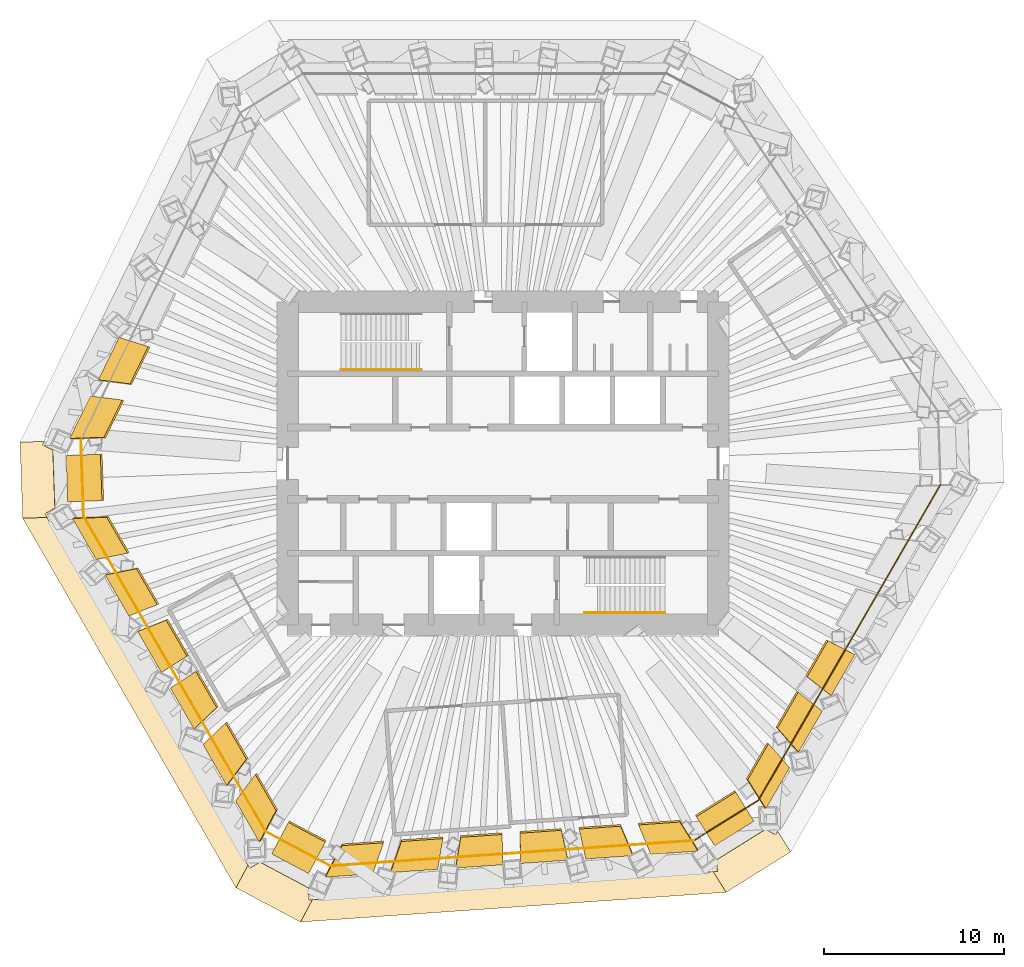
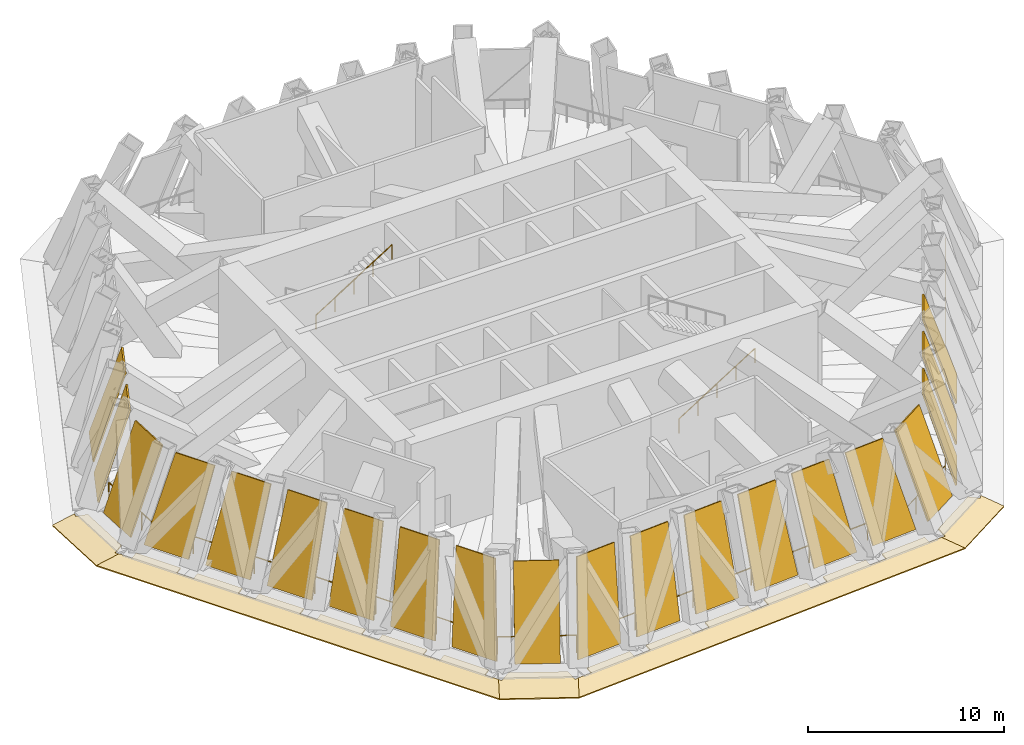
# One storey, part 10 of 12: 20 shading devices, 5 coverings, 5 railings.
"""IFC4 building model written with IfcOpenShell, lengths in metres."""

from ifc_helpers import new_model, si_unit, direction, frame, origin, origin_2d, place, context, subcontext, project, spatial, polyline, circle, outline, extrude, material, layer, layer_set, type_object, element, save


model = new_model("IFC4")

# Units and contexts
model_context = context("Model", 3, precision=1e-05, world=origin(), true_north=direction((0.0, 1.0)))
body_context = subcontext(model_context, "Body", "Model", "MODEL_VIEW")
ifc_project = project(units=[si_unit("LENGTHUNIT", "METRE"), si_unit("AREAUNIT", "SQUARE_METRE"), si_unit("VOLUMEUNIT", "CUBIC_METRE"), si_unit("PLANEANGLEUNIT", "RADIAN"), si_unit("MASSUNIT", "GRAM", prefix="KILO")], contexts=[model_context])

# Site, building, storey
site_placement = place(None, origin())
site = spatial("IfcSite", under=ifc_project, at=site_placement, CompositionType="ELEMENT")
building_placement = place(site_placement, origin())
building = spatial("IfcBuilding", under=site, at=building_placement, Name="Qingtian Harvest Tower", CompositionType="ELEMENT")
storey_placement = place(building_placement, frame((0.0, 0.0, 256.0)))
storey = spatial("IfcBuildingStorey", under=building, at=storey_placement, Name="L56", CompositionType="ELEMENT", Elevation=256.0)

# Coverings
ifc_material_1 = material(Name="Bronze-finished aluminium plate", Category="aluminium")
ifc_layer_1 = layer(ifc_material_1, 0.080078125)
ifc_layer_set_1 = layer_set([ifc_layer_1], Name="Bronze eave band EB1")
covering_type = type_object("IfcCoveringType", Name="Bronze eave band EB1", PredefinedType="CLADDING", material=ifc_layer_set_1)
covering_1_placement = place(storey_placement, frame((14.634765625, -20.376708984375, -0.02001953125), z_axis=(0.086563982329, -0.138530640062, 0.986567756785), x_axis=(0.856908601128, -0.494753875713, -0.144659088137)))
element("IfcCovering", 1, at=covering_1_placement, inside=storey, type_object=covering_type, Name="Eave band EB1 L56 6", PredefinedType="CLADDING", context=body_context, shape_type="SweptSolid", body=[
    extrude(outline(polyline([(0.0, 0.0), (0.6444666965576125, -8.586881206085195e-17), (0.6416515885527894, 0.23486961680116777), (1.8616196305034163, -0.40506412551811505), (-0.10696206249302961, -4.158105621252344), (-1.3269301044436563, -3.518171878933061), (-1.1323730867152912, -3.386926982635392), (-1.498596471311495, -2.8568032884977317), (0.0, 0.0)])), origin(), (0.0, 0.0, -1.0), 0.080078125),
])
covering_2_placement = place(storey_placement, frame((10.91796875, -22.39306640625, -0.02001953125), z_axis=(0.012857958281, -0.183879523858, 0.982864687337), x_axis=(0.068405671654, -0.980481340219, -0.184328526193)))
element("IfcCovering", 2, at=covering_2_placement, inside=storey, type_object=covering_type, Name="Eave band EB1 L56 7", PredefinedType="CLADDING", context=body_context, shape_type="SweptSolid", body=[
    extrude(outline(polyline([(0.0, 0.0), (0.4068587924871051, 2.613943675226771e-18), (0.4067084845693656, 0.7660283416040832), (1.627558103637147, 1.4042786274782426), (1.6312768484498288, -22.36333557236911), (0.4101043465409035, -21.613675967618708), (0.4100152740214564, -20.80115249780952), (0.003139780930920155, -20.801396046326982), (0.0026053530704157613, -18.167774669521773), (0.4097035208847228, -18.167791662590034), (0.40948084292462833, -17.167792402719133), (0.0026220504375231712, -17.167792402719137), (0.0020876225770188883, -14.534171025913926), (0.4091857903913259, -14.534188018982183), (0.40896311243123135, -13.534188759111286), (0.0021043199441262983, -13.53418875911129), (0.0015698920836219044, -10.900567382306079), (0.40842868457072706, -10.900567382306077), (0.40844538193783436, -9.900585115503441), (0.0013472141235275625, -9.900568122435184), (0.001035460986793857, -7.267207287215694), (0.40791095407733013, -7.266963738698232), (0.4079276514444375, -6.266981471895594), (0.0008127830266994596, -6.267208027344799), (0.0005177304933969284, -3.633603643607847), (0.4073932235839332, -3.633360095090385), (0.4071705456238388, -2.63336083521949), (0.00029505253330250336, -2.633604383736952), (0.0, 0.0)])), origin(), (0.0, 0.0, -1.0), 0.080078125),
])
covering_3_placement = place(storey_placement, frame((-10.849365234375, -23.64111328125, -0.02001953125), z_axis=(-0.073737172693, -0.138681756738, 0.987588071876), x_axis=(0.069353474018, -0.988599490901, -0.133645584406)))
element("IfcCovering", 3, at=covering_3_placement, inside=storey, type_object=covering_type, Name="Eave band EB1 L56 8", PredefinedType="CLADDING", context=body_context, shape_type="SweptSolid", body=[
    extrude(outline(polyline([(0.0, 0.0), (0.6793795354868474, 8.673617379884035e-19), (0.6771953132219113, 0.1881335854139479), (1.8964732967307218, -0.564603420859748), (-0.24214454000525737, -4.028314031997176), (-1.4611811662164844, -3.275591341645391), (-1.2920389025610253, -3.192909547339685), (-1.59657473249186, -2.5856608314137604), (0.0, 0.0)])), origin(), (0.0, 0.0, -1.0), 0.080078125),
])
covering_4_placement = place(storey_placement, frame((-14.269287109375, -21.485107421875, -0.02001953125), z_axis=(-0.15964358022, -0.092169422793, 0.982862515714), x_axis=(-0.851101423394, -0.49157409702, -0.184340104793)))
element("IfcCovering", 4, at=covering_4_placement, inside=storey, type_object=covering_type, Name="Eave band EB1 L56 9", PredefinedType="CLADDING", context=body_context, shape_type="SweptSolid", body=[
    extrude(outline(polyline([(0.0, 0.0), (0.406751322266604, 2.442843019881402e-18), (0.40707722082782366, 0.8123498630116949), (1.628071655428998, 1.561892615737575), (1.623980160815511, -22.20549857756545), (0.40327601780188044, -21.567237877150102), (0.4035396383392143, -20.80137096144534), (-0.0035394855681154525, -20.80146026909322), (-0.0031869131629749248, -18.16781543739207), (0.4038922107443557, -18.167726129744192), (0.404028345270286, -17.1677768936728), (-0.002930765429764115, -17.16765478911354), (-0.0024904177984579334, -14.534343474178787), (0.4045887061088736, -14.534254166530905), (0.404724840634803, -13.534304930459513), (-0.0022342700652462355, -13.534182825900258), (-0.0020017108673862083, -10.900749406406247), (0.40507741303994443, -10.900660098758365), (0.40521354756587474, -9.900710862686973), (-0.0017455631341745104, -9.900588758127718), (-0.0011852022955887165, -7.267066030985825), (0.4057739084044614, -7.267188135545081), (0.40591004293039173, -6.267238899473689), (-0.0010490677696579631, -6.2671167949144335), (-0.0006964953645172134, -3.6334719632132844), (0.4062626153355327, -3.63359406777254), (0.40639874986146346, -2.633644831701149), (-0.00056036083858646, -2.633522727141893), (0.0, 0.0)])), origin(), (0.0, 0.0, -1.0), 0.080078125),
])
covering_5_placement = place(storey_placement, frame((-24.964111328125, -2.48583984375, -0.02001953125), z_axis=(-0.163263676023, -0.005701288549, 0.986565997488), x_axis=(-0.857072361583, -0.494460613025, -0.144691634786)))
element("IfcCovering", 5, at=covering_5_placement, inside=storey, type_object=covering_type, Name="Eave band EB1 L56 10", PredefinedType="CLADDING", context=body_context, shape_type="SweptSolid", body=[
    extrude(outline(polyline([(0.0, 0.0), (0.6443459439421869, -8.066464163292153e-17), (0.6415749877055543, 0.23499179411826926), (1.8616005232737873, -0.4045650974345185), (-0.10593153831056762, -4.158360179515666), (-1.3259570738788005, -3.5188032879628786), (-1.1313654447524808, -3.3873784361327197), (-1.4977384025676108, -2.8573420767048274), (0.0, 0.0)])), origin(), (0.0, 0.0, -1.0), 0.080078125),
])

# Shading devices
ifc_material_2 = material(Name="Bronze-finished aluminium lattice", Category="aluminium")
ifc_layer_2 = layer(ifc_material_2, 0.10009765625)
ifc_layer_set_2 = layer_set([ifc_layer_2], Name="Bronze lattice screen LS1")
shading_device_type = type_object("IfcShadingDeviceType", Name="Bronze lattice screen LS1", PredefinedType="USERDEFINED", material=ifc_layer_set_2)
shading_device_1_placement = place(storey_placement, frame((19.59814453125, -10.6552734375, 0.0), z_axis=(0.821574183906, -0.474350964677, 0.316238869604), x_axis=(-0.500013331206, -0.866017706855, 5.406843e-06)))
element("IfcShadingDevice", 6, at=shading_device_1_placement, inside=storey, type_object=shading_device_type, Name="Lattice screen LS1 L56 SE3", ObjectType="SCREEN", PredefinedType="USERDEFINED", context=body_context, shape_type="SweptSolid", body=[
    extrude(outline(polyline([(0.0, 0.0), (2.6336448549726788, 5.551115123125783e-17), (2.3874588713114138, -5.323226025646467), (0.07834898846825863, -5.323254196060658), (0.0, 0.0)])), origin(), (0.0, 0.0, -1.0), 0.10009765625),
])
shading_device_2_placement = place(storey_placement, frame((17.78125, -13.802001953125, 0.0), z_axis=(0.821594800726, -0.474316008267, 0.316237739242), x_axis=(-0.499973036795, -0.866040970419, -5.845446e-06)))
element("IfcShadingDevice", 7, at=shading_device_2_placement, inside=storey, type_object=shading_device_type, Name="Lattice screen LS1 L56 SE4", ObjectType="SCREEN", PredefinedType="USERDEFINED", context=body_context, shape_type="SweptSolid", body=[
    extrude(outline(polyline([(0.0, 0.0), (2.633522786398246, 0.0), (2.06278875137321, -5.323250228486697), (-0.24632113136687223, -5.3232197736493285), (0.0, 0.0)])), origin(), (0.0, 0.0, -1.0), 0.10009765625),
])
shading_device_3_placement = place(storey_placement, frame((15.964599609375, -16.94873046875, 0.0), z_axis=(0.821563510659, -0.474371858225, 0.316235257486), x_axis=(-0.500032581322, -0.86600659213, -2.002905e-06)))
element("IfcShadingDevice", 8, at=shading_device_3_placement, inside=storey, type_object=shading_device_type, Name="Lattice screen LS1 L56 SE5", ObjectType="SCREEN", PredefinedType="USERDEFINED", context=body_context, shape_type="SweptSolid", body=[
    extrude(outline(polyline([(0.0, 0.0), (2.6336448553047873, 5.551115123125783e-17), (1.738511000750246, -5.323236546605746), (-0.5703874530133363, -5.32322611164773), (0.0, 0.0)])), origin(), (0.0, 0.0, -1.0), 0.10009765625),
])
shading_device_4_placement = place(storey_placement, frame((13.9736328125, -19.927490234375, 0.0), z_axis=(0.495766481021, -0.793385666254, 0.353206428139), x_axis=(-0.848046129595, -0.529922411377, 0.0)))
element("IfcShadingDevice", 9, at=shading_device_4_placement, inside=storey, type_object=shading_device_type, Name="Lattice screen LS1 L56 SEC", ObjectType="SCREEN", PredefinedType="USERDEFINED", context=body_context, shape_type="SweptSolid", body=[
    extrude(outline(polyline([(0.0, 0.0), (2.580898169030656, 5.551115123125783e-17), (2.5807855600748235, -5.397972946976134), (-0.00011260895583253827, -5.397972946976134), (0.0, 0.0)])), origin(), (0.0, 0.0, -1.0), 0.10009765625),
])
shading_device_5_placement = place(storey_placement, frame((10.862060546875, -21.594970703125, 0.0), z_axis=(0.06616862103, -0.946370610277, 0.316234693852), x_axis=(-0.997564848281, -0.069745059997, 8.902902e-06)))
element("IfcShadingDevice", 10, at=shading_device_5_placement, inside=storey, type_object=shading_device_type, Name="Lattice screen LS1 L56 S0", ObjectType="SCREEN", PredefinedType="USERDEFINED", context=body_context, shape_type="SweptSolid", body=[
    extrude(outline(polyline([(0.0, 0.0), (2.6333608526918786, -6.938893903907228e-18), (3.2041606566133436, -5.323201752683206), (0.8950649331921239, -5.323248135193448), (0.0, 0.0)])), origin(), (0.0, 0.0, -1.0), 0.10009765625),
])
shading_device_6_placement = place(storey_placement, frame((7.237548828125, -21.848388671875, 0.0), z_axis=(0.066166013958, -0.946380182643, 0.316206591484), x_axis=(-0.997565109557, -0.06974132275, 9.807514e-06)))
element("IfcShadingDevice", 11, at=shading_device_6_placement, inside=storey, type_object=shading_device_type, Name="Lattice screen LS1 L56 S1", ObjectType="SCREEN", PredefinedType="USERDEFINED", context=body_context, shape_type="SweptSolid", body=[
    extrude(outline(polyline([(0.0, 0.0), (2.6336043990839277, 6.938893903907228e-18), (2.8799064016150684, -5.323149489102401), (0.5708106785480346, -5.323200586489842), (0.0, 0.0)])), origin(), (0.0, 0.0, -1.0), 0.10009765625),
])
shading_device_7_placement = place(storey_placement, frame((3.61279296875, -22.101806640625, 0.0), z_axis=(0.066215164746, -0.946366066553, 0.316238549256), x_axis=(-0.997561153919, -0.069797880962, -2.118367e-06)))
element("IfcShadingDevice", 12, at=shading_device_7_placement, inside=storey, type_object=shading_device_type, Name="Lattice screen LS1 L56 S2", ObjectType="SCREEN", PredefinedType="USERDEFINED", context=body_context, shape_type="SweptSolid", body=[
    extrude(outline(polyline([(0.0, 0.0), (2.6336214310765502, 0.0), (2.5549814871523973, -5.323244738476731), (0.24612930758471527, -5.32323370211468), (0.0, 0.0)])), origin(), (0.0, 0.0, -1.0), 0.10009765625),
])
shading_device_8_placement = place(storey_placement, frame((-0.011962890625, -22.355224609375, 0.0), z_axis=(0.066165520068, -0.946373118485, 0.316227836477), x_axis=(-0.997564464492, -0.069750547385, -1.7934694e-05)))
element("IfcShadingDevice", 13, at=shading_device_8_placement, inside=storey, type_object=shading_device_type, Name="Lattice screen LS1 L56 S3", ObjectType="SCREEN", PredefinedType="USERDEFINED", context=body_context, shape_type="SweptSolid", body=[
    extrude(outline(polyline([(0.0, 0.0), (2.6336214269000755, -6.938893903907228e-18), (2.2304557840396066, -5.32326116310165), (-0.07862291059215855, -5.3231677222054135), (0.0, 0.0)])), origin(), (0.0, 0.0, -1.0), 0.10009765625),
])
shading_device_9_placement = place(storey_placement, frame((-3.63671875, -22.608642578125, 0.0), z_axis=(0.066215696091, -0.946373660688, 0.3162157111), x_axis=(-0.997561108754, -0.069798526388, -4.059631e-06)))
element("IfcShadingDevice", 14, at=shading_device_9_placement, inside=storey, type_object=shading_device_type, Name="Lattice screen LS1 L56 S4", ObjectType="SCREEN", PredefinedType="USERDEFINED", context=body_context, shape_type="SweptSolid", body=[
    extrude(outline(polyline([(0.0, 0.0), (2.633377885878468, -1.3877787807814457e-17), (1.905936222460152, -5.323204473124332), (-0.4031595022726825, -5.323183323247186), (0.0, 0.0)])), origin(), (0.0, 0.0, -1.0), 0.10009765625),
])
shading_device_10_placement = place(storey_placement, frame((-7.26123046875, -22.8623046875, 0.0), z_axis=(0.06611856715, -0.946371780415, 0.316241661253), x_axis=(-0.997568201427, -0.069697083709, -4.974318e-06)))
element("IfcShadingDevice", 15, at=shading_device_10_placement, inside=storey, type_object=shading_device_type, Name="Lattice screen LS1 L56 S5", ObjectType="SCREEN", PredefinedType="USERDEFINED", context=body_context, shape_type="SweptSolid", body=[
    extrude(outline(polyline([(0.0, 0.0), (2.6336044000248955, -6.938893903907228e-18), (1.5818035986186778, -5.323253148359596), (-0.7272751022175574, -5.3232272318105185), (0.0, 0.0)])), origin(), (0.0, 0.0, -1.0), 0.10009765625),
])
shading_device_11_placement = place(storey_placement, frame((-10.828857421875, -22.845947265625, 0.0), z_axis=(-0.436931719638, -0.821759478068, 0.365789601519), x_axis=(-0.882950062689, 0.469466917682, 0.0)))
element("IfcShadingDevice", 16, at=shading_device_11_placement, inside=storey, type_object=shading_device_type, Name="Lattice screen LS1 L56 SC", ObjectType="SCREEN", PredefinedType="USERDEFINED", context=body_context, shape_type="SweptSolid", body=[
    extrude(outline(polyline([(0.0, 0.0), (2.328730050133081, 0.0), (2.3286356033167963, -5.426090052355372), (-9.444681628457423e-05, -5.426090052355372), (0.0, 0.0)])), origin(), (0.0, 0.0, -1.0), 0.10009765625),
])
shading_device_12_placement = place(storey_placement, frame((-13.576416015625, -21.0849609375, 0.0), z_axis=(-0.821606222465, -0.474322602167, 0.316198172483), x_axis=(-0.499973037217, 0.866040970175, 5.844796e-06)))
element("IfcShadingDevice", 17, at=shading_device_12_placement, inside=storey, type_object=shading_device_type, Name="Lattice screen LS1 L56 SW0", ObjectType="SCREEN", PredefinedType="USERDEFINED", context=body_context, shape_type="SweptSolid", body=[
    extrude(outline(polyline([(0.0, 0.0), (2.6335227863982333, -5.551115123125783e-17), (3.3609081982839912, -5.323142809936807), (1.0517983155438735, -5.323173260963754), (0.0, 0.0)])), origin(), (0.0, 0.0, -1.0), 0.10009765625),
])
shading_device_13_placement = place(storey_placement, frame((-15.39306640625, -17.938232421875, 0.0), z_axis=(-0.821584601108, -0.47435697924, 0.316202782198), x_axis=(-0.50001333085, 0.866017707061, -5.406294e-06)))
element("IfcShadingDevice", 18, at=shading_device_13_placement, inside=storey, type_object=shading_device_type, Name="Lattice screen LS1 L56 SW1", ObjectType="SCREEN", PredefinedType="USERDEFINED", context=body_context, shape_type="SweptSolid", body=[
    extrude(outline(polyline([(0.0, 0.0), (2.633644854972669, -1.1102230246251565e-16), (3.036360165001725, -5.323189440338707), (0.7272502821585414, -5.323161273139165), (0.0, 0.0)])), origin(), (0.0, 0.0, -1.0), 0.10009765625),
])
shading_device_14_placement = place(storey_placement, frame((-17.2099609375, -14.79150390625, 0.0), z_axis=(-0.821605920544, -0.474322427864, 0.316199218456), x_axis=(-0.499973037206, 0.866040970181, 5.844813e-06)))
element("IfcShadingDevice", 19, at=shading_device_14_placement, inside=storey, type_object=shading_device_type, Name="Lattice screen LS1 L56 SW2", ObjectType="SCREEN", PredefinedType="USERDEFINED", context=body_context, shape_type="SweptSolid", body=[
    extrude(outline(polyline([(0.0, 0.0), (2.6335227863982333, -5.551115123125783e-17), (2.7119603273464574, -5.323148764116128), (0.4028504446063403, -5.323179215243806), (0.0, 0.0)])), origin(), (0.0, 0.0, -1.0), 0.10009765625),
])
shading_device_15_placement = place(storey_placement, frame((-19.026611328125, -11.644775390625, 0.0), z_axis=(-0.821571060134, -0.474376217302, 0.316209104248), x_axis=(-0.500032581417, 0.866006592075, 2.002758e-06)))
element("IfcShadingDevice", 20, at=shading_device_15_placement, inside=storey, type_object=shading_device_type, Name="Lattice screen LS1 L56 SW3", ObjectType="SCREEN", PredefinedType="USERDEFINED", context=body_context, shape_type="SweptSolid", body=[
    extrude(outline(polyline([(0.0, 0.0), (2.6336448553047864, 0.0), (2.3874122943587186, -5.323178920594112), (0.07851384059513355, -5.323189354689138), (0.0, 0.0)])), origin(), (0.0, 0.0, -1.0), 0.10009765625),
])
shading_device_16_placement = place(storey_placement, frame((-20.843505859375, -8.498046875, 0.0), z_axis=(-0.821591417398, -0.474341109223, 0.316208878683), x_axis=(-0.499992287136, 0.866029856661, 1.325375e-05)))
element("IfcShadingDevice", 21, at=shading_device_16_placement, inside=storey, type_object=shading_device_type, Name="Lattice screen LS1 L56 SW4", ObjectType="SCREEN", PredefinedType="USERDEFINED", context=body_context, shape_type="SweptSolid", body=[
    extrude(outline(polyline([(0.0, 0.0), (2.633522784534821, 0.0), (2.063012457868658, -5.323154717762646), (-0.2458859923077247, -5.32322376628338), (0.0, 0.0)])), origin(), (0.0, 0.0, -1.0), 0.10009765625),
])
shading_device_17_placement = place(storey_placement, frame((-22.66015625, -5.351318359375, 0.0), z_axis=(-0.821572895194, -0.474377276868, 0.316202746784), x_axis=(-0.500032581441, 0.866006592061, 2.002722e-06)))
element("IfcShadingDevice", 22, at=shading_device_17_placement, inside=storey, type_object=shading_device_type, Name="Lattice screen LS1 L56 SW5", ObjectType="SCREEN", PredefinedType="USERDEFINED", context=body_context, shape_type="SweptSolid", body=[
    extrude(outline(polyline([(0.0, 0.0), (2.633644855304786, -5.551115123125783e-17), (1.7384644240986145, -5.3231684008150735), (-0.570434029664971, -5.323178834700319), (0.0, 0.0)])), origin(), (0.0, 0.0, -1.0), 0.10009765625),
])
shading_device_18_placement = place(storey_placement, frame((-24.244384765625, -2.137939453125, 0.0), z_axis=(-0.934985093098, -0.032655892035, 0.353180503991), x_axis=(-0.03490536106, 0.999390622214, 0.0)))
element("IfcShadingDevice", 23, at=shading_device_18_placement, inside=storey, type_object=shading_device_type, Name="Lattice screen LS1 L56 SWC", ObjectType="SCREEN", PredefinedType="USERDEFINED", context=body_context, shape_type="SweptSolid", body=[
    extrude(outline(polyline([(0.0, 0.0), (2.580918457500481, 0.0), (2.58102397560439, -5.397916477820508), (0.00010551810390882488, -5.397916477820508), (0.0, 0.0)])), origin(), (0.0, 0.0, -1.0), 0.10009765625),
])
shading_device_19_placement = place(storey_placement, frame((-24.1328125, 1.390625, 0.0), z_axis=(-0.852671430794, 0.415885851192, 0.316212570727), x_axis=(0.438382208315, 0.898788651113, 7.911097e-06)))
element("IfcShadingDevice", 24, at=shading_device_19_placement, inside=storey, type_object=shading_device_type, Name="Lattice screen LS1 L56 NW0", ObjectType="SCREEN", PredefinedType="USERDEFINED", context=body_context, shape_type="SweptSolid", body=[
    extrude(outline(polyline([(0.0, 0.0), (2.63351206925445, 5.551115123125783e-17), (3.204078092439926, -5.323163725222619), (0.8949631122667914, -5.323204941712238), (0.0, 0.0)])), origin(), (0.0, 0.0, -1.0), 0.10009765625),
])
shading_device_20_placement = place(storey_placement, frame((-22.5400390625, 4.65625, 0.0), z_axis=(-0.852673198048, 0.415863858475, 0.316236728645), x_axis=(0.438361040749, 0.898798975271, 2.215634e-06)))
element("IfcShadingDevice", 25, at=shading_device_20_placement, inside=storey, type_object=shading_device_type, Name="Lattice screen LS1 L56 NW1", ObjectType="SCREEN", PredefinedType="USERDEFINED", context=body_context, shape_type="SweptSolid", body=[
    extrude(outline(polyline([(0.0, 0.0), (2.6337315004715567, 5.551115123125783e-17), (2.8797196228528574, -5.323228902348966), (0.5706046414744991, -5.323240446321428), (0.0, 0.0)])), origin(), (0.0, 0.0, -1.0), 0.10009765625),
])

# Railings
ifc_material_3 = material(Name="Stainless steel handrail", Category="steel")
railing_type_1 = type_object("IfcRailingType", Name="Handrail HR1", PredefinedType="HANDRAIL", material=ifc_material_3)
for number, where, name in (
    (26, (-9.030029296875, 5.22998046875, 3.176513671875), "Handrail HR1 S1 flight 2"),
    (27, (4.550048828125, -8.320068359375, 0.176513671875), "Handrail HR1 S2 flight 1"),
):
    element("IfcRailing", number, at=place(storey_placement, frame(where)), inside=storey, type_object=railing_type_1, Name=name, PredefinedType="HANDRAIL", context=body_context, shape_type="SweptSolid", body=[
        extrude(circle(Radius=0.02392578125, at=origin_2d()), frame((0.0, 0.0, 0.8759765625), z_axis=(0.845997938375, 0.0, 0.533186166611), x_axis=(0.0, 1.0, 0.0)), (0.0, 0.0, 1.0), 5.29541015625),
        extrude(circle(Radius=0.02099609375, at=origin_2d()), origin(), (0.0, 0.0, 1.0), 0.851806640625),
        extrude(circle(Radius=0.02099609375, at=origin_2d()), frame((1.1201171875, 0.0, 0.705810546875)), (0.0, 0.0, 1.0), 0.851806640625),
        extrude(circle(Radius=0.02099609375, at=origin_2d()), frame((2.239990234375, 0.0, 1.41162109375)), (0.0, 0.0, 1.0), 0.851806640625),
        extrude(circle(Radius=0.02099609375, at=origin_2d()), frame((3.35986328125, 0.0, 2.11767578125)), (0.0, 0.0, 1.0), 0.851806640625),
        extrude(circle(Radius=0.02099609375, at=origin_2d()), frame((4.47998046875, 0.0, 2.823486328125)), (0.0, 0.0, 1.0), 0.851806640625),
    ])
ifc_material_4 = material(Name="Galvanised steel guard", Category="steel")
railing_type_2 = type_object("IfcRailingType", Name="Setback roof guard GR4 1100", PredefinedType="GUARDRAIL", material=ifc_material_4)
railing_1_placement = place(storey_placement, frame((24.37255859375, -1.185546875, 0.0)))
element("IfcRailing", 28, at=railing_1_placement, inside=storey, type_object=railing_type_2, Name="Setback roof guard GR4 L56 SE", PredefinedType="GUARDRAIL", context=body_context, shape_type="SweptSolid", body=[
    extrude(circle(Radius=0.02392578125, at=origin_2d()), frame((0.0, 0.0, 1.076171875), z_axis=(-0.500001833672, -0.866024345111, 0.0), x_axis=(0.866024345111, -0.500001833672, 0.0)), (0.0, 0.0, 1.0), 20.2978515625),
    extrude(circle(Radius=0.02392578125, at=origin_2d()), frame((-10.14892578125, -17.578369140625, 1.076171875), z_axis=(-0.848040374245, -0.529931621675, 0.0), x_axis=(0.529931621675, -0.848040374245, 0.0)), (0.0, 0.0, 1.0), 4.238037109375),
    extrude(circle(Radius=0.02099609375, at=origin_2d()), origin(), (0.0, 0.0, 1.0), 1.052001953125),
    extrude(circle(Radius=0.02099609375, at=origin_2d()), frame((-0.596923828125, -1.033935546875, 0.0)), (0.0, 0.0, 1.0), 1.052001953125),
    extrude(circle(Radius=0.02099609375, at=origin_2d()), frame((-1.194091796875, -2.068115234375, 0.0)), (0.0, 0.0, 1.0), 1.052001953125),
    extrude(circle(Radius=0.02099609375, at=origin_2d()), frame((-1.791015625, -3.10205078125, 0.0)), (0.0, 0.0, 1.0), 1.052001953125),
    extrude(circle(Radius=0.02099609375, at=origin_2d()), frame((-2.387939453125, -4.135986328125, 0.0)), (0.0, 0.0, 1.0), 1.052001953125),
    extrude(circle(Radius=0.02099609375, at=origin_2d()), frame((-2.98486328125, -5.170166015625, 0.0)), (0.0, 0.0, 1.0), 1.052001953125),
    extrude(circle(Radius=0.02099609375, at=origin_2d()), frame((-3.58203125, -6.2041015625, 0.0)), (0.0, 0.0, 1.0), 1.052001953125),
    extrude(circle(Radius=0.02099609375, at=origin_2d()), frame((-4.178955078125, -7.238037109375, 0.0)), (0.0, 0.0, 1.0), 1.052001953125),
    extrude(circle(Radius=0.02099609375, at=origin_2d()), frame((-4.77587890625, -8.272216796875, 0.0)), (0.0, 0.0, 1.0), 1.052001953125),
    extrude(circle(Radius=0.02099609375, at=origin_2d()), frame((-5.373046875, -9.30615234375, 0.0)), (0.0, 0.0, 1.0), 1.052001953125),
    extrude(circle(Radius=0.02099609375, at=origin_2d()), frame((-5.969970703125, -10.34033203125, 0.0)), (0.0, 0.0, 1.0), 1.052001953125),
    extrude(circle(Radius=0.02099609375, at=origin_2d()), frame((-6.56689453125, -11.374267578125, 0.0)), (0.0, 0.0, 1.0), 1.052001953125),
    extrude(circle(Radius=0.02099609375, at=origin_2d()), frame((-7.1640625, -12.408203125, 0.0)), (0.0, 0.0, 1.0), 1.052001953125),
    extrude(circle(Radius=0.02099609375, at=origin_2d()), frame((-7.760986328125, -13.4423828125, 0.0)), (0.0, 0.0, 1.0), 1.052001953125),
    extrude(circle(Radius=0.02099609375, at=origin_2d()), frame((-8.35791015625, -14.476318359375, 0.0)), (0.0, 0.0, 1.0), 1.052001953125),
    extrude(circle(Radius=0.02099609375, at=origin_2d()), frame((-8.954833984375, -15.51025390625, 0.0)), (0.0, 0.0, 1.0), 1.052001953125),
    extrude(circle(Radius=0.02099609375, at=origin_2d()), frame((-9.552001953125, -16.54443359375, 0.0)), (0.0, 0.0, 1.0), 1.052001953125),
    extrude(circle(Radius=0.02099609375, at=origin_2d()), frame((-10.14892578125, -17.578369140625, 0.0)), (0.0, 0.0, 1.0), 1.052001953125),
    extrude(circle(Radius=0.02099609375, at=origin_2d()), frame((-11.04736328125, -18.139892578125, 0.0)), (0.0, 0.0, 1.0), 1.052001953125),
    extrude(circle(Radius=0.02099609375, at=origin_2d()), frame((-11.94580078125, -18.701171875, 0.0)), (0.0, 0.0, 1.0), 1.052001953125),
    extrude(circle(Radius=0.02099609375, at=origin_2d()), frame((-12.844482421875, -19.2626953125, 0.0)), (0.0, 0.0, 1.0), 1.052001953125),
    extrude(circle(Radius=0.02099609375, at=origin_2d()), frame((-13.742919921875, -19.82421875, 0.0)), (0.0, 0.0, 1.0), 1.052001953125),
])
railing_2_placement = place(storey_placement, frame((10.629638671875, -21.009765625, 0.0)))
element("IfcRailing", 29, at=railing_2_placement, inside=storey, type_object=railing_type_2, Name="Setback roof guard GR4 L56 S", PredefinedType="GUARDRAIL", context=body_context, shape_type="SweptSolid", body=[
    extrude(circle(Radius=0.02392578125, at=origin_2d()), frame((0.0, 0.0, 1.076171875), z_axis=(-0.997564485475, -0.069750249602, 0.0), x_axis=(0.069750249602, -0.997564485475, 0.0)), (0.0, 0.0, 1.0), 20.297607421875),
    extrude(circle(Radius=0.02392578125, at=origin_2d()), frame((-20.248291015625, -1.415771484375, 1.076171875), z_axis=(-0.882968133669, 0.469432929101, 0.0), x_axis=(-0.469432929101, -0.882968133669, 0.0)), (0.0, 0.0, 1.0), 4.070556640625),
    extrude(circle(Radius=0.02099609375, at=origin_2d()), origin(), (0.0, 0.0, 1.0), 1.052001953125),
    extrude(circle(Radius=0.02099609375, at=origin_2d()), frame((-1.191162109375, -0.083251953125, 0.0)), (0.0, 0.0, 1.0), 1.052001953125),
    extrude(circle(Radius=0.02099609375, at=origin_2d()), frame((-2.382080078125, -0.16650390625, 0.0)), (0.0, 0.0, 1.0), 1.052001953125),
    extrude(circle(Radius=0.02099609375, at=origin_2d()), frame((-3.5732421875, -0.249755859375, 0.0)), (0.0, 0.0, 1.0), 1.052001953125),
    extrude(circle(Radius=0.02099609375, at=origin_2d()), frame((-4.764404296875, -0.3330078125, 0.0)), (0.0, 0.0, 1.0), 1.052001953125),
    extrude(circle(Radius=0.02099609375, at=origin_2d()), frame((-5.955322265625, -0.41650390625, 0.0)), (0.0, 0.0, 1.0), 1.052001953125),
    extrude(circle(Radius=0.02099609375, at=origin_2d()), frame((-7.146484375, -0.499755859375, 0.0)), (0.0, 0.0, 1.0), 1.052001953125),
    extrude(circle(Radius=0.02099609375, at=origin_2d()), frame((-8.337646484375, -0.5830078125, 0.0)), (0.0, 0.0, 1.0), 1.052001953125),
    extrude(circle(Radius=0.02099609375, at=origin_2d()), frame((-9.528564453125, -0.666259765625, 0.0)), (0.0, 0.0, 1.0), 1.052001953125),
    extrude(circle(Radius=0.02099609375, at=origin_2d()), frame((-10.7197265625, -0.74951171875, 0.0)), (0.0, 0.0, 1.0), 1.052001953125),
    extrude(circle(Radius=0.02099609375, at=origin_2d()), frame((-11.91064453125, -0.832763671875, 0.0)), (0.0, 0.0, 1.0), 1.052001953125),
    extrude(circle(Radius=0.02099609375, at=origin_2d()), frame((-13.101806640625, -0.916015625, 0.0)), (0.0, 0.0, 1.0), 1.052001953125),
    extrude(circle(Radius=0.02099609375, at=origin_2d()), frame((-14.29296875, -0.999267578125, 0.0)), (0.0, 0.0, 1.0), 1.052001953125),
    extrude(circle(Radius=0.02099609375, at=origin_2d()), frame((-15.48388671875, -1.082763671875, 0.0)), (0.0, 0.0, 1.0), 1.052001953125),
    extrude(circle(Radius=0.02099609375, at=origin_2d()), frame((-16.675048828125, -1.166015625, 0.0)), (0.0, 0.0, 1.0), 1.052001953125),
    extrude(circle(Radius=0.02099609375, at=origin_2d()), frame((-17.8662109375, -1.249267578125, 0.0)), (0.0, 0.0, 1.0), 1.052001953125),
    extrude(circle(Radius=0.02099609375, at=origin_2d()), frame((-19.05712890625, -1.33251953125, 0.0)), (0.0, 0.0, 1.0), 1.052001953125),
    extrude(circle(Radius=0.02099609375, at=origin_2d()), frame((-20.248291015625, -1.415771484375, 0.0)), (0.0, 0.0, 1.0), 1.052001953125),
    extrude(circle(Radius=0.02099609375, at=origin_2d()), frame((-21.14697265625, -0.93798828125, 0.0)), (0.0, 0.0, 1.0), 1.052001953125),
    extrude(circle(Radius=0.02099609375, at=origin_2d()), frame((-22.04541015625, -0.46044921875, 0.0)), (0.0, 0.0, 1.0), 1.052001953125),
    extrude(circle(Radius=0.02099609375, at=origin_2d()), frame((-22.94384765625, 0.017333984375, 0.0)), (0.0, 0.0, 1.0), 1.052001953125),
    extrude(circle(Radius=0.02099609375, at=origin_2d()), frame((-23.842529296875, 0.4951171875, 0.0)), (0.0, 0.0, 1.0), 1.052001953125),
])
railing_3_placement = place(storey_placement, frame((-13.212890625, -20.5146484375, 0.0)))
element("IfcRailing", 30, at=railing_3_placement, inside=storey, type_object=railing_type_2, Name="Setback roof guard GR4 L56 SW", PredefinedType="GUARDRAIL", context=body_context, shape_type="SweptSolid", body=[
    extrude(circle(Radius=0.02392578125, at=origin_2d()), frame((0.0, 0.0, 1.076171875), z_axis=(-0.500001833672, 0.866024345111, 0.0), x_axis=(-0.866024345111, -0.500001833672, 0.0)), (0.0, 0.0, 1.0), 20.2978515625),
    extrude(circle(Radius=0.02392578125, at=origin_2d()), frame((-10.14892578125, 17.578369140625, 1.076171875), z_axis=(-0.034908677553, 0.999390506375, 0.0), x_axis=(-0.999390506375, -0.034908677553, 0.0)), (0.0, 0.0, 1.0), 4.23828125),
    extrude(circle(Radius=0.02099609375, at=origin_2d()), origin(), (0.0, 0.0, 1.0), 1.052001953125),
    extrude(circle(Radius=0.02099609375, at=origin_2d()), frame((-0.596923828125, 1.033935546875, 0.0)), (0.0, 0.0, 1.0), 1.052001953125),
    extrude(circle(Radius=0.02099609375, at=origin_2d()), frame((-1.194091796875, 2.068115234375, 0.0)), (0.0, 0.0, 1.0), 1.052001953125),
    extrude(circle(Radius=0.02099609375, at=origin_2d()), frame((-1.791015625, 3.10205078125, 0.0)), (0.0, 0.0, 1.0), 1.052001953125),
    extrude(circle(Radius=0.02099609375, at=origin_2d()), frame((-2.387939453125, 4.135986328125, 0.0)), (0.0, 0.0, 1.0), 1.052001953125),
    extrude(circle(Radius=0.02099609375, at=origin_2d()), frame((-2.98486328125, 5.170166015625, 0.0)), (0.0, 0.0, 1.0), 1.052001953125),
    extrude(circle(Radius=0.02099609375, at=origin_2d()), frame((-3.58203125, 6.2041015625, 0.0)), (0.0, 0.0, 1.0), 1.052001953125),
    extrude(circle(Radius=0.02099609375, at=origin_2d()), frame((-4.178955078125, 7.238037109375, 0.0)), (0.0, 0.0, 1.0), 1.052001953125),
    extrude(circle(Radius=0.02099609375, at=origin_2d()), frame((-4.77587890625, 8.272216796875, 0.0)), (0.0, 0.0, 1.0), 1.052001953125),
    extrude(circle(Radius=0.02099609375, at=origin_2d()), frame((-5.373046875, 9.30615234375, 0.0)), (0.0, 0.0, 1.0), 1.052001953125),
    extrude(circle(Radius=0.02099609375, at=origin_2d()), frame((-5.969970703125, 10.34033203125, 0.0)), (0.0, 0.0, 1.0), 1.052001953125),
    extrude(circle(Radius=0.02099609375, at=origin_2d()), frame((-6.56689453125, 11.374267578125, 0.0)), (0.0, 0.0, 1.0), 1.052001953125),
    extrude(circle(Radius=0.02099609375, at=origin_2d()), frame((-7.1640625, 12.408203125, 0.0)), (0.0, 0.0, 1.0), 1.052001953125),
    extrude(circle(Radius=0.02099609375, at=origin_2d()), frame((-7.760986328125, 13.4423828125, 0.0)), (0.0, 0.0, 1.0), 1.052001953125),
    extrude(circle(Radius=0.02099609375, at=origin_2d()), frame((-8.35791015625, 14.476318359375, 0.0)), (0.0, 0.0, 1.0), 1.052001953125),
    extrude(circle(Radius=0.02099609375, at=origin_2d()), frame((-8.954833984375, 15.51025390625, 0.0)), (0.0, 0.0, 1.0), 1.052001953125),
    extrude(circle(Radius=0.02099609375, at=origin_2d()), frame((-9.552001953125, 16.54443359375, 0.0)), (0.0, 0.0, 1.0), 1.052001953125),
    extrude(circle(Radius=0.02099609375, at=origin_2d()), frame((-10.14892578125, 17.578369140625, 0.0)), (0.0, 0.0, 1.0), 1.052001953125),
    extrude(circle(Radius=0.02099609375, at=origin_2d()), frame((-10.18603515625, 18.63720703125, 0.0)), (0.0, 0.0, 1.0), 1.052001953125),
    extrude(circle(Radius=0.02099609375, at=origin_2d()), frame((-10.222900390625, 19.6962890625, 0.0)), (0.0, 0.0, 1.0), 1.052001953125),
    extrude(circle(Radius=0.02099609375, at=origin_2d()), frame((-10.259765625, 20.755126953125, 0.0)), (0.0, 0.0, 1.0), 1.052001953125),
    extrude(circle(Radius=0.02099609375, at=origin_2d()), frame((-10.296875, 21.81396484375, 0.0)), (0.0, 0.0, 1.0), 1.052001953125),
])

save(model, "model.ifc")
